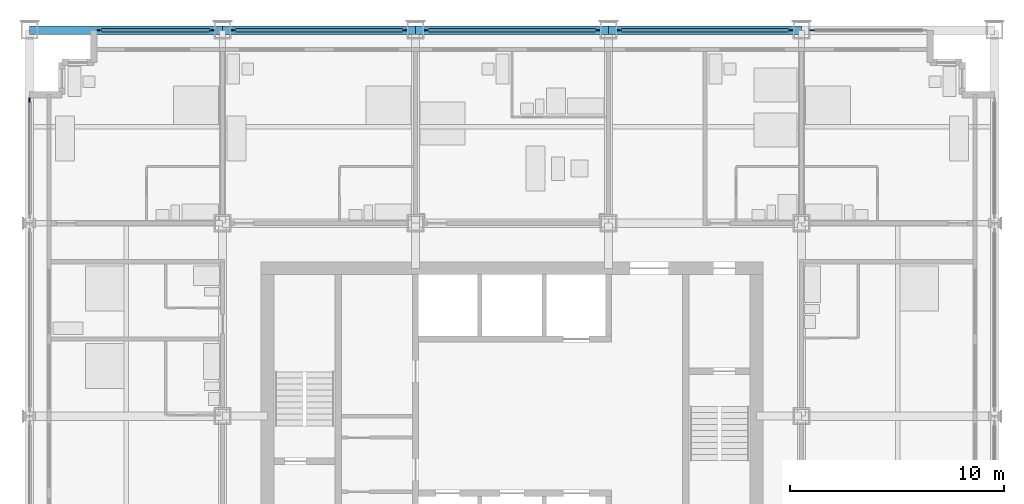
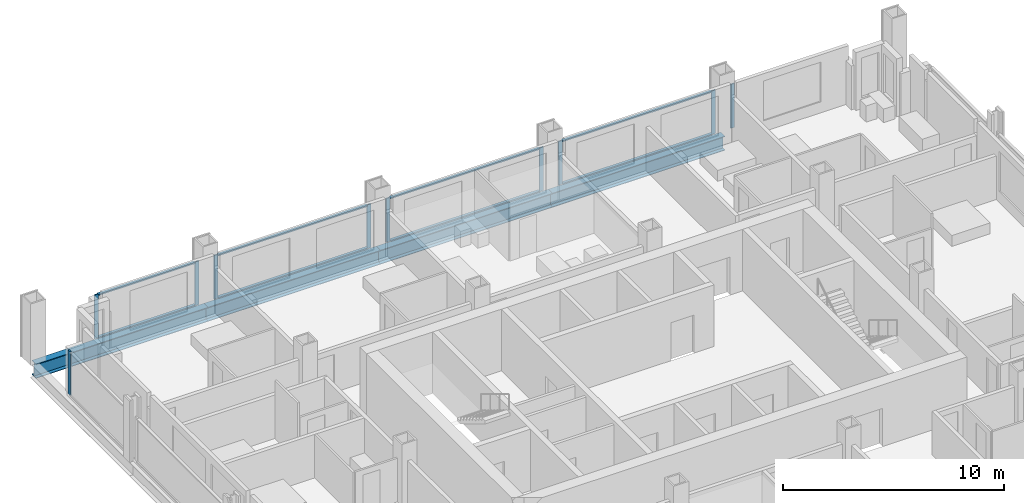
# One storey, part 6 of 16: 18 members, 4 beams, 6 elements without a shape of their own.
"""IFC4 building model written with IfcOpenShell, lengths in metres."""

from ifc_helpers import new_model, si_unit, direction, frame, origin, origin_2d, place, context, subcontext, project, spatial, rectangle, i_section, extrude, material, material_profile, profile_set, type_object, element, aggregate, save


model = new_model("IFC4")

# Units and contexts
model_context = context("Model", 3, precision=1e-05, world=origin(), true_north=direction((0.0, 1.0)))
body_context = subcontext(model_context, "Body", "Model", "MODEL_VIEW")
ifc_project = project(units=[si_unit("LENGTHUNIT", "METRE"), si_unit("AREAUNIT", "SQUARE_METRE"), si_unit("VOLUMEUNIT", "CUBIC_METRE"), si_unit("PLANEANGLEUNIT", "RADIAN"), si_unit("MASSUNIT", "GRAM", prefix="KILO")], contexts=[model_context])

# Site, building, storey
site_placement = place(None, origin())
site = spatial("IfcSite", under=ifc_project, at=site_placement, CompositionType="ELEMENT")
building_placement = place(site_placement, origin())
building = spatial("IfcBuilding", under=site, at=building_placement, Name="Loomwork Tower", CompositionType="ELEMENT")
storey_placement = place(building_placement, frame((0.0, 0.0, 118.0)))
storey = spatial("IfcBuildingStorey", under=building, at=storey_placement, Name="L31", CompositionType="ELEMENT", Elevation=118.0)

# Curtain wall, members
ifc_material_1 = material(Name="Aluminium curtain wall frame", Category="aluminium")
curtain_wall_type = type_object("IfcCurtainWallType", Name="Outer skin glazing hotel", PredefinedType="NOTDEFINED", material=ifc_material_1)
curtain_wall_1_placement = place(storey_placement, origin())
curtain_wall_1 = element("IfcCurtainWall", 1, at=curtain_wall_1_placement, inside=storey, type_object=curtain_wall_type, Name="Outer skin glazing hotel cw/N-0", PredefinedType="NOTDEFINED")
ifc_material_2 = material(Name="Aluminium curtain wall frame", Category="aluminium")
ifc_material_profile_1 = material_profile(ifc_material_2, rectangle(XDim=0.06494140625, YDim=0.199951171875, at=origin_2d()), Name="AL 65x200")
ifc_profile_set_1 = profile_set([ifc_material_profile_1], Name="Aluminium curtain wall frame")
member_type_1 = type_object("IfcMemberType", Name="Outer skin glazing hotel mullion", PredefinedType="MULLION", material=ifc_profile_set_1)
member_1_placement = place(storey_placement, frame((8.5, 36.0, 0.0), z_axis=(0.0, 0.0, 1.0), x_axis=(0.0, -1.0, 0.0)))
member_1 = element("IfcMember", 2, at=member_1_placement, type_object=member_type_1, Name="CW1 mullion 1", PredefinedType="MULLION", context=body_context, shape_type="SweptSolid", body=[
    extrude(rectangle(XDim=0.06494140625, YDim=0.199951171875, at=origin_2d()), origin(), (0.0, 0.0, 1.0), 2.420166015625),
])
member_2_placement = place(storey_placement, frame((3.25, 36.0, 0.0), z_axis=(0.0, 0.0, 1.0), x_axis=(0.0, -1.0, 0.0)))
member_2 = element("IfcMember", 3, at=member_2_placement, type_object=member_type_1, Name="CW1 mullion 2", PredefinedType="MULLION", context=body_context, shape_type="SweptSolid", body=[
    extrude(rectangle(XDim=0.06494140625, YDim=0.199951171875, at=origin_2d()), origin(), (0.0, 0.0, 1.0), 2.420166015625),
])

curtain_wall_2_placement = place(storey_placement, origin())
curtain_wall_2 = element("IfcCurtainWall", 4, at=curtain_wall_2_placement, inside=storey, type_object=curtain_wall_type, Name="Outer skin glazing hotel cw/N-9", PredefinedType="NOTDEFINED")
member_3_placement = place(storey_placement, frame((17.5, 36.0, 0.0), z_axis=(0.0, 0.0, 1.0), x_axis=(0.0, -1.0, 0.0)))
member_3 = element("IfcMember", 5, at=member_3_placement, type_object=member_type_1, Name="CW1 mullion 1", PredefinedType="MULLION", context=body_context, shape_type="SweptSolid", body=[
    extrude(rectangle(XDim=0.06494140625, YDim=0.199951171875, at=origin_2d()), origin(), (0.0, 0.0, 1.0), 2.420166015625),
])
member_4_placement = place(storey_placement, frame((9.5, 36.0, 0.0), z_axis=(0.0, 0.0, 1.0), x_axis=(0.0, -1.0, 0.0)))
member_4 = element("IfcMember", 6, at=member_4_placement, type_object=member_type_1, Name="CW1 mullion 2", PredefinedType="MULLION", context=body_context, shape_type="SweptSolid", body=[
    extrude(rectangle(XDim=0.06494140625, YDim=0.199951171875, at=origin_2d()), origin(), (0.0, 0.0, 1.0), 2.420166015625),
])

curtain_wall_3_placement = place(storey_placement, origin())
curtain_wall_3 = element("IfcCurtainWall", 7, at=curtain_wall_3_placement, inside=storey, type_object=curtain_wall_type, Name="Outer skin glazing hotel cw/N-18", PredefinedType="NOTDEFINED")
member_5_placement = place(storey_placement, frame((26.5, 36.0, 0.0), z_axis=(0.0, 0.0, 1.0), x_axis=(0.0, -1.0, 0.0)))
member_5 = element("IfcMember", 8, at=member_5_placement, type_object=member_type_1, Name="CW1 mullion 1", PredefinedType="MULLION", context=body_context, shape_type="SweptSolid", body=[
    extrude(rectangle(XDim=0.06494140625, YDim=0.199951171875, at=origin_2d()), origin(), (0.0, 0.0, 1.0), 2.420166015625),
])
member_6_placement = place(storey_placement, frame((18.5, 36.0, 0.0), z_axis=(0.0, 0.0, 1.0), x_axis=(0.0, -1.0, 0.0)))
member_6 = element("IfcMember", 9, at=member_6_placement, type_object=member_type_1, Name="CW1 mullion 2", PredefinedType="MULLION", context=body_context, shape_type="SweptSolid", body=[
    extrude(rectangle(XDim=0.06494140625, YDim=0.199951171875, at=origin_2d()), origin(), (0.0, 0.0, 1.0), 2.420166015625),
])

curtain_wall_4_placement = place(storey_placement, origin())
curtain_wall_4 = element("IfcCurtainWall", 10, at=curtain_wall_4_placement, inside=storey, type_object=curtain_wall_type, Name="Outer skin glazing hotel cw/N-27", PredefinedType="NOTDEFINED")
member_7_placement = place(storey_placement, frame((35.5, 36.0, 0.0), z_axis=(0.0, 0.0, 1.0), x_axis=(0.0, -1.0, 0.0)))
member_7 = element("IfcMember", 11, at=member_7_placement, type_object=member_type_1, Name="CW1 mullion 1", PredefinedType="MULLION", context=body_context, shape_type="SweptSolid", body=[
    extrude(rectangle(XDim=0.06494140625, YDim=0.199951171875, at=origin_2d()), origin(), (0.0, 0.0, 1.0), 2.420166015625),
])
member_8_placement = place(storey_placement, frame((27.5, 36.0, 0.0), z_axis=(0.0, 0.0, 1.0), x_axis=(0.0, -1.0, 0.0)))
member_8 = element("IfcMember", 12, at=member_8_placement, type_object=member_type_1, Name="CW1 mullion 2", PredefinedType="MULLION", context=body_context, shape_type="SweptSolid", body=[
    extrude(rectangle(XDim=0.06494140625, YDim=0.199951171875, at=origin_2d()), origin(), (0.0, 0.0, 1.0), 2.420166015625),
])

# Curtain wall, member
curtain_wall_5_placement = place(storey_placement, origin())
curtain_wall_5 = element("IfcCurtainWall", 13, at=curtain_wall_5_placement, inside=storey, type_object=curtain_wall_type, Name="Outer skin glazing hotel cw/N-36", PredefinedType="NOTDEFINED")
member_9_placement = place(storey_placement, frame((36.5, 36.0, 0.0), z_axis=(0.0, 0.0, 1.0), x_axis=(0.0, -1.0, 0.0)))
member_9 = element("IfcMember", 14, at=member_9_placement, type_object=member_type_1, Name="CW1 mullion 2", PredefinedType="MULLION", context=body_context, shape_type="SweptSolid", body=[
    extrude(rectangle(XDim=0.06494140625, YDim=0.199951171875, at=origin_2d()), origin(), (0.0, 0.0, 1.0), 2.420166015625),
])
aggregate(curtain_wall_5, [member_9])

curtain_wall_6_placement = place(storey_placement, origin())
curtain_wall_6 = element("IfcCurtainWall", 15, at=curtain_wall_6_placement, inside=storey, type_object=curtain_wall_type, Name="Outer skin glazing hotel cw/W-27", PredefinedType="NOTDEFINED")
member_10_placement = place(storey_placement, frame((0.0, 32.75, 0.0), z_axis=(0.0, 0.0, 1.0), x_axis=(1.0, 0.0, 0.0)))
member_10 = element("IfcMember", 16, at=member_10_placement, type_object=member_type_1, Name="CW1 mullion 1", PredefinedType="MULLION", context=body_context, shape_type="SweptSolid", body=[
    extrude(rectangle(XDim=0.06494140625, YDim=0.199951171875, at=origin_2d()), origin(), (0.0, 0.0, 1.0), 2.420166015625),
])
aggregate(curtain_wall_6, [member_10])

# Member
ifc_material_3 = material(Name="Aluminium curtain wall frame", Category="aluminium")
ifc_material_profile_2 = material_profile(ifc_material_3, rectangle(XDim=0.14990234375, YDim=0.06494140625, at=origin_2d()), Name="AL 65x150")
ifc_profile_set_2 = profile_set([ifc_material_profile_2], Name="Aluminium curtain wall frame")
member_type_2 = type_object("IfcMemberType", Name="Outer skin glazing hotel transom", PredefinedType="USERDEFINED", material=ifc_profile_set_2)
member_11_placement = place(storey_placement, frame((8.39990234375, 36.0, 0.032470703125), z_axis=(-1.0, 0.0, 0.0), x_axis=(0.0, -1.0, 0.0)))
member_11 = element("IfcMember", 17, at=member_11_placement, type_object=member_type_2, Name="CW1 transom 1.1", ObjectType="TRANSOM", PredefinedType="USERDEFINED", context=body_context, shape_type="SweptSolid", body=[
    extrude(rectangle(XDim=0.14990234375, YDim=0.06494140625, at=origin_2d()), origin(), (0.0, 0.0, 1.0), 5.0498046875),
])

member_12_placement = place(storey_placement, frame((8.39990234375, 36.0, 2.3876953125), z_axis=(-1.0, 0.0, 0.0), x_axis=(0.0, -1.0, 0.0)))
member_12 = element("IfcMember", 18, at=member_12_placement, type_object=member_type_2, Name="CW1 transom 1.2", ObjectType="TRANSOM", PredefinedType="USERDEFINED", context=body_context, shape_type="SweptSolid", body=[
    extrude(rectangle(XDim=0.14990234375, YDim=0.06494140625, at=origin_2d()), origin(), (0.0, 0.0, 1.0), 5.0498046875),
])

aggregate(curtain_wall_1, [member_1, member_2, member_11, member_12])

member_13_placement = place(storey_placement, frame((17.39990234375, 36.0, 0.032470703125), z_axis=(-1.0, 0.0, 0.0), x_axis=(0.0, -1.0, 0.0)))
member_13 = element("IfcMember", 19, at=member_13_placement, type_object=member_type_2, Name="CW1 transom 1.1", ObjectType="TRANSOM", PredefinedType="USERDEFINED", context=body_context, shape_type="SweptSolid", body=[
    extrude(rectangle(XDim=0.14990234375, YDim=0.06494140625, at=origin_2d()), origin(), (0.0, 0.0, 1.0), 7.7998046875),
])

member_14_placement = place(storey_placement, frame((17.39990234375, 36.0, 2.3876953125), z_axis=(-1.0, 0.0, 0.0), x_axis=(0.0, -1.0, 0.0)))
member_14 = element("IfcMember", 20, at=member_14_placement, type_object=member_type_2, Name="CW1 transom 1.2", ObjectType="TRANSOM", PredefinedType="USERDEFINED", context=body_context, shape_type="SweptSolid", body=[
    extrude(rectangle(XDim=0.14990234375, YDim=0.06494140625, at=origin_2d()), origin(), (0.0, 0.0, 1.0), 7.7998046875),
])

aggregate(curtain_wall_2, [member_3, member_4, member_13, member_14])

member_15_placement = place(storey_placement, frame((26.39990234375, 36.0, 0.032470703125), z_axis=(-1.0, 0.0, 0.0), x_axis=(0.0, -1.0, 0.0)))
member_15 = element("IfcMember", 21, at=member_15_placement, type_object=member_type_2, Name="CW1 transom 1.1", ObjectType="TRANSOM", PredefinedType="USERDEFINED", context=body_context, shape_type="SweptSolid", body=[
    extrude(rectangle(XDim=0.14990234375, YDim=0.06494140625, at=origin_2d()), origin(), (0.0, 0.0, 1.0), 7.7998046875),
])

member_16_placement = place(storey_placement, frame((26.39990234375, 36.0, 2.3876953125), z_axis=(-1.0, 0.0, 0.0), x_axis=(0.0, -1.0, 0.0)))
member_16 = element("IfcMember", 22, at=member_16_placement, type_object=member_type_2, Name="CW1 transom 1.2", ObjectType="TRANSOM", PredefinedType="USERDEFINED", context=body_context, shape_type="SweptSolid", body=[
    extrude(rectangle(XDim=0.14990234375, YDim=0.06494140625, at=origin_2d()), origin(), (0.0, 0.0, 1.0), 7.7998046875),
])

aggregate(curtain_wall_3, [member_5, member_6, member_15, member_16])

member_17_placement = place(storey_placement, frame((35.39990234375, 36.0, 0.032470703125), z_axis=(-1.0, 0.0, 0.0), x_axis=(0.0, -1.0, 0.0)))
member_17 = element("IfcMember", 23, at=member_17_placement, type_object=member_type_2, Name="CW1 transom 1.1", ObjectType="TRANSOM", PredefinedType="USERDEFINED", context=body_context, shape_type="SweptSolid", body=[
    extrude(rectangle(XDim=0.14990234375, YDim=0.06494140625, at=origin_2d()), origin(), (0.0, 0.0, 1.0), 7.7998046875),
])

member_18_placement = place(storey_placement, frame((35.39990234375, 36.0, 2.3876953125), z_axis=(-1.0, 0.0, 0.0), x_axis=(0.0, -1.0, 0.0)))
member_18 = element("IfcMember", 24, at=member_18_placement, type_object=member_type_2, Name="CW1 transom 1.2", ObjectType="TRANSOM", PredefinedType="USERDEFINED", context=body_context, shape_type="SweptSolid", body=[
    extrude(rectangle(XDim=0.14990234375, YDim=0.06494140625, at=origin_2d()), origin(), (0.0, 0.0, 1.0), 7.7998046875),
])

aggregate(curtain_wall_4, [member_7, member_8, member_17, member_18])

# Beams
ifc_material_4 = material(Name="Steel ASTM A992", Category="steel")
ifc_material_profile_3 = material_profile(ifc_material_4, i_section(OverallWidth=0.381103515625, OverallDepth=0.77978515625, WebThickness=0.01806640625, FlangeThickness=0.0302734375, at=origin_2d()), Name="W30x191")
ifc_profile_set_3 = profile_set([ifc_material_profile_3], Name="Steel ASTM A992")
beam_type = type_object("IfcBeamType", Name="SPANDREL GIRDER W30x191", PredefinedType="SPANDREL", material=ifc_profile_set_3)
for number, where, z_axis, x_axis, name in (
    (25, (0.0, 36.0, -0.58984375), (1.0, 0.0, 0.0), (0.0, 1.0, 0.0), "Spandrel Girder H/2-H/3 L31"),
    (26, (9.0, 36.0, -0.58984375), (1.0, 0.0, 0.0), (0.0, 1.0, 0.0), "Spandrel Girder H/3-H/4 L31"),
    (27, (18.0, 36.0, -0.58984375), (1.0, 0.0, 0.0), (0.0, 1.0, 0.0), "Spandrel Girder H/4-H/5 L31"),
    (28, (27.0, 36.0, -0.58984375), (1.0, 0.0, 0.0), (0.0, 1.0, 0.0), "Spandrel Girder H/5-H/6 L31"),
):
    element("IfcBeam", number, at=place(storey_placement, frame(where, z_axis=z_axis, x_axis=x_axis)), inside=storey, type_object=beam_type, Name=name, PredefinedType="SPANDREL", context=body_context, shape_type="SweptSolid", body=[
        extrude(i_section(OverallWidth=0.381103515625, OverallDepth=0.77978515625, WebThickness=0.01806640625, FlangeThickness=0.0302734375, at=origin_2d()), origin(), (0.0, 0.0, 1.0), 9.0),
    ])

save(model, "model.ifc")
